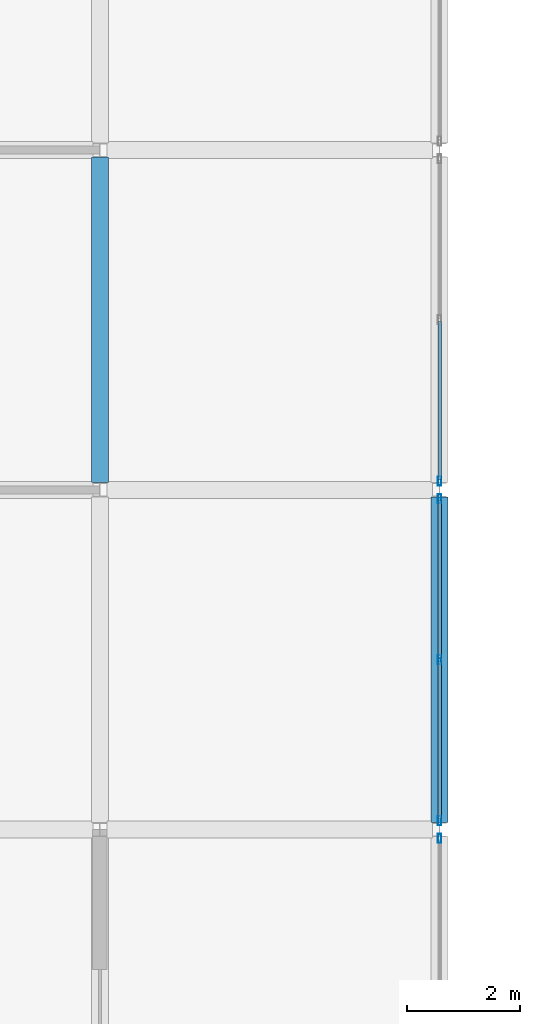
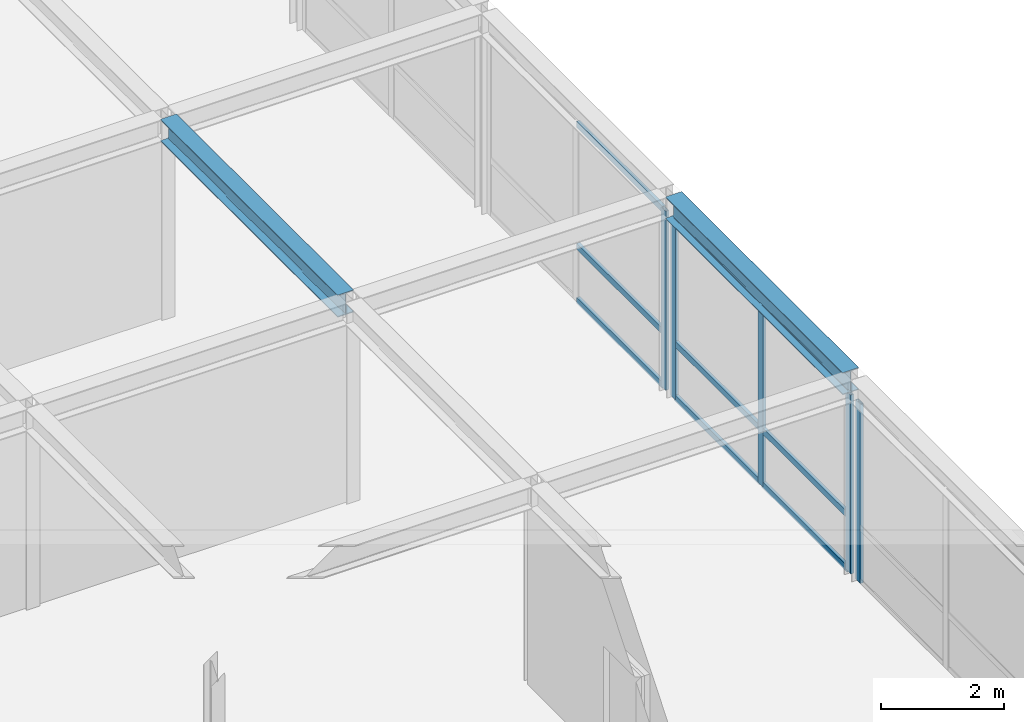
# One storey, part 68 of 111: 14 members, 2 beams, 3 elements without a shape of their own.
"""IFC4 building model written with IfcOpenShell, lengths in metres."""

import ifcopenshell
import ifcopenshell.guid

model = None  # the IFC model being written
_history = None  # IfcOwnerHistory: only IFC2X3 demands one
_inside = {}  # id of a spatial element -> (the spatial element, [elements in it])
_under = {}  # id of a project, library or spatial element -> (it, [spatial elements below it])
_declared = {}  # id of a project -> (the project, [libraries it declares])
_typed = {}  # id of a type object -> (the type object, [elements of that type])
_made_of = {}  # id of a material, layer set ... -> (it, [elements and type objects made of it])


def new_model(schema):
    """Start an empty IFC model of exactly this schema.

    Asked for "IFC4X3", IfcOpenShell would pick the latest addendum, in which some entities
    have other attributes; the version numbers below select the first issue.
    IFC2X3 requires an IfcOwnerHistory on every rooted entity: one is made here for all.
    """
    global model, _history
    if schema == "IFC4X3":
        model = ifcopenshell.file(schema_version=(4, 3, 0, 0))
    else:
        model = ifcopenshell.file(schema=schema)
    _inside.clear()
    _under.clear()
    _declared.clear()
    _typed.clear()
    _made_of.clear()
    _history = None
    if model.schema == "IFC2X3":
        org = make("IfcOrganization", Name="unknown")
        user = make(
            "IfcPersonAndOrganization",
            ThePerson=make("IfcPerson", FamilyName="unknown"),
            TheOrganization=org,
        )
        app = make(
            "IfcApplication",
            ApplicationDeveloper=org,
            Version="unknown",
            ApplicationFullName="unknown",
            ApplicationIdentifier="unknown",
        )
        _history = make(
            "IfcOwnerHistory",
            OwningUser=user,
            OwningApplication=app,
            ChangeAction="ADDED",
            CreationDate=0,
        )
    return model


def make(cls, **values):
    """One entity of the class cls with the attributes given. An attribute that is None is left unset."""
    return model.create_entity(
        cls, **{name: value for name, value in values.items() if value is not None}
    )


def rooted(cls, **values):
    """An entity with a GlobalId (a new one), such as an element, a storey or a relation."""
    return make(cls, GlobalId=ifcopenshell.guid.new(), OwnerHistory=_history, **values)


def si_unit(unit_type, name, prefix=None):
    """IfcSIUnit, for example si_unit("LENGTHUNIT", "METRE", prefix="MILLI")."""
    return make("IfcSIUnit", UnitType=unit_type, Prefix=prefix, Name=name)


def assignment(units):
    """IfcUnitAssignment: the units of a project."""
    return None if units is None else make("IfcUnitAssignment", Units=units)


def point(xyz):
    """IfcCartesianPoint."""
    return None if xyz is None else make("IfcCartesianPoint", Coordinates=xyz)


def direction(xyz):
    """IfcDirection."""
    return None if xyz is None else make("IfcDirection", DirectionRatios=xyz)


def frame(location, z_axis=None, x_axis=None):
    """IfcAxis2Placement3D, a coordinate frame: its origin and axes. An axis left out is left unset."""
    return make(
        "IfcAxis2Placement3D",
        Location=point(location),
        Axis=direction(z_axis),
        RefDirection=direction(x_axis),
    )


def frame_2d(location, x_axis=None):
    """IfcAxis2Placement2D, a coordinate frame in the plane: its origin and x axis."""
    return make(
        "IfcAxis2Placement2D", Location=point(location), RefDirection=direction(x_axis)
    )


def origin():
    """The frame at (0, 0, 0) with its axes left unset."""
    return frame((0.0, 0.0, 0.0))


def origin_2d():
    """The frame at (0, 0) in the plane with its x axis left unset."""
    return frame_2d((0.0, 0.0))


def place(relative_to, where):
    """IfcLocalPlacement: puts the frame where relative to a parent placement (None: the world)."""
    return make(
        "IfcLocalPlacement", PlacementRelTo=relative_to, RelativePlacement=where
    )


def context(
    kind, dimensions, precision=None, world=None, true_north=None, identifier=None
):
    """IfcGeometricRepresentationContext, for example the 3D "Model" context."""
    return make(
        "IfcGeometricRepresentationContext",
        ContextIdentifier=identifier,
        ContextType=kind,
        CoordinateSpaceDimension=dimensions,
        Precision=precision,
        WorldCoordinateSystem=world,
        TrueNorth=true_north,
    )


def subcontext(parent, identifier, kind, view, scale=None):
    """IfcGeometricRepresentationSubContext, for example "Body" below "Model"."""
    return make(
        "IfcGeometricRepresentationSubContext",
        ContextIdentifier=identifier,
        ContextType=kind,
        ParentContext=parent,
        TargetScale=scale,
        TargetView=view,
    )


def project(units=None, contexts=None):
    """IfcProject with its units and contexts."""
    return rooted(
        "IfcProject",
        Name="project",
        RepresentationContexts=contexts,
        UnitsInContext=assignment(units),
    )


def spatial(cls, under=None, at=None, **own):
    """A site, building, storey or space (cls), placed at a placement, below another one or the project."""
    s = rooted(cls, ObjectPlacement=at, **own)
    if under is not None:
        _under.setdefault(under.id(), (under, []))[1].append(s)
    return s


def profile(cls, at=None, kind="AREA", **sizes):
    """A parametric profile (cls). Its sizes go by their IFC names, for example OverallWidth=200.0."""
    return make(cls, ProfileType=kind, Position=at, **sizes)


def hollow_rectangle(**sizes):
    """IfcRectangleHollowProfileDef."""
    return profile("IfcRectangleHollowProfileDef", **sizes)


def i_section(**sizes):
    """IfcIShapeProfileDef."""
    return profile("IfcIShapeProfileDef", **sizes)


def extrude(swept, where, along, depth):
    """IfcExtrudedAreaSolid: the profile swept, set in the frame where, extruded along a direction by depth."""
    return make(
        "IfcExtrudedAreaSolid",
        SweptArea=swept,
        Position=where,
        ExtrudedDirection=direction(along),
        Depth=depth,
    )


def shape(context_of_items, identifier, shape_type, items):
    """IfcShapeRepresentation: the items that make up one representation, for example the "Body"."""
    return make(
        "IfcShapeRepresentation",
        ContextOfItems=context_of_items,
        RepresentationIdentifier=identifier,
        RepresentationType=shape_type,
        Items=items,
    )


def material(Name=None, Category=None):
    """IfcMaterial."""
    return make("IfcMaterial", Name=Name, Category=Category)


def layer(
    of_material, thickness, ventilated=None, Name=None, Category=None, Priority=None
):
    """IfcMaterialLayer: one layer of a wall or slab, of a material (None: an air gap)."""
    return make(
        "IfcMaterialLayer",
        Material=of_material,
        LayerThickness=thickness,
        IsVentilated=ventilated,
        Name=Name,
        Category=Category,
        Priority=Priority,
    )


def layer_set(layers, Name=None):
    """IfcMaterialLayerSet."""
    return make("IfcMaterialLayerSet", MaterialLayers=layers, LayerSetName=Name)


def material_profile(
    of_material, cross_section, Name=None, Category=None, Priority=None
):
    """IfcMaterialProfile: a cross section and its material."""
    return make(
        "IfcMaterialProfile",
        Name=Name,
        Material=of_material,
        Profile=cross_section,
        Priority=Priority,
        Category=Category,
    )


def profile_set(profiles, Name=None, composite=None):
    """IfcMaterialProfileSet."""
    return make(
        "IfcMaterialProfileSet",
        Name=Name,
        MaterialProfiles=profiles,
        CompositeProfile=composite,
    )


def made_of(thing, what):
    """Note that an element or type object is made of a material, layer set ...; save() writes the relation."""
    if what is not None:
        _made_of.setdefault(what.id(), (what, []))[1].append(thing)
    return thing


def type_object(cls, material=None, **own):
    """A type object (cls), such as IfcWallType, which elements share."""
    return made_of(rooted(cls, **own), material)


def element(
    cls,
    number,
    at=None,
    inside=None,
    cuts=None,
    type_object=None,
    material=None,
    context=None,
    identifier="Body",
    shape_type=None,
    held_by="IfcProductDefinitionShape",
    body=None,
    shapes=None,
    **own,
):
    """One element of the class cls, such as IfcWall. Its Tag is "e" and its number.

    at: its placement. inside: the storey or other place that contains it. cuts: it is an
    opening in that element (IfcRelVoidsElement). A single representation is given by context,
    identifier, shape_type and body (its items); several are given by shapes. held_by: the class
    of the entity that holds the representations. save() writes the other relations.
    """
    e = rooted(cls, Tag="e%d" % number, ObjectPlacement=at, **own)
    if body is not None:
        shapes = [shape(context, identifier, shape_type, body)]
    if shapes is not None:
        e.Representation = make(held_by, Representations=shapes)
    if inside is not None:
        _inside.setdefault(inside.id(), (inside, []))[1].append(e)
    if cuts is not None:
        rooted(
            "IfcRelVoidsElement", RelatingBuildingElement=cuts, RelatedOpeningElement=e
        )
    if type_object is not None:
        _typed.setdefault(type_object.id(), (type_object, []))[1].append(e)
    return made_of(e, material)


def aggregate(whole, parts):
    """IfcRelAggregates: a whole, such as a stair, and the parts it consists of."""
    return rooted("IfcRelAggregates", RelatingObject=whole, RelatedObjects=parts)


def save(model, path):
    """Write the relations noted so far, then the file.

    IfcRelAggregates (storeys below a building ...), IfcRelContainedInSpatialStructure (elements
    in a storey), IfcRelDefinesByType, IfcRelAssociatesMaterial and IfcRelDeclares: one each for
    every whole, place, type object, material and project.
    """
    for whole, parts in _under.values():
        aggregate(whole, parts)
    for where, things in _inside.values():
        rooted(
            "IfcRelContainedInSpatialStructure",
            RelatedElements=things,
            RelatingStructure=where,
        )
    for kind, things in _typed.values():
        rooted("IfcRelDefinesByType", RelatedObjects=things, RelatingType=kind)
    for what, things in _made_of.values():
        rooted("IfcRelAssociatesMaterial", RelatedObjects=things, RelatingMaterial=what)
    for by, libraries in _declared.values():
        rooted("IfcRelDeclares", RelatingContext=by, RelatedDefinitions=libraries)
    model.write(path)


model = new_model("IFC4")

# Units and contexts
model_context = context("Model", 3, precision=1e-05, world=origin(), true_north=direction((0.0, 1.0)))
body_context = subcontext(model_context, "Body", "Model", "MODEL_VIEW")
ifc_project = project(units=[si_unit("LENGTHUNIT", "METRE"), si_unit("AREAUNIT", "SQUARE_METRE"), si_unit("VOLUMEUNIT", "CUBIC_METRE"), si_unit("PLANEANGLEUNIT", "RADIAN"), si_unit("MASSUNIT", "GRAM", prefix="KILO")], contexts=[model_context])

# Site, building, storey
site_placement = place(None, origin())
site = spatial("IfcSite", under=ifc_project, at=site_placement, CompositionType="ELEMENT")
building_placement = place(site_placement, origin())
building = spatial("IfcBuilding", under=site, at=building_placement, Name="Zlatovratsky Civic Hall", CompositionType="ELEMENT")
storey_placement = place(building_placement, frame((0.0, 0.0, 16.5)))
storey = spatial("IfcBuildingStorey", under=building, at=storey_placement, Name="L04", CompositionType="ELEMENT", Elevation=16.5)

# Beams
ifc_material_1 = material(Name="Steel S355", Category="steel")
ifc_material_profile_1 = material_profile(ifc_material_1, i_section(OverallWidth=0.300048828125, OverallDepth=0.43994140625, WebThickness=0.010986328125, FlangeThickness=0.01806640625, FilletRadius=0.02197265625, at=origin_2d()), Name="45Sh1")
ifc_profile_set_1 = profile_set([ifc_material_profile_1], Name="Steel S355")
beam_type = type_object("IfcBeamType", Name="Beam_TowerLow_45Sh1", PredefinedType="BEAM", material=ifc_profile_set_1)
for number, where, z_axis, x_axis, name in (
    (1, (114.0, 54.125, 3.780029296875), (0.0, 1.0, 0.0), (-1.0, 0.0, 0.0), "BM-3729"),
    (2, (120.0, 48.125, 3.780029296875), (0.0, 1.0, 0.0), (-1.0, 0.0, 0.0), "BM-3745"),
):
    element("IfcBeam", number, at=place(storey_placement, frame(where, z_axis=z_axis, x_axis=x_axis)), inside=storey, type_object=beam_type, Name=name, PredefinedType="BEAM", context=body_context, shape_type="SweptSolid", body=[
        extrude(i_section(OverallWidth=0.300048828125, OverallDepth=0.43994140625, WebThickness=0.010986328125, FlangeThickness=0.01806640625, FilletRadius=0.02197265625, at=origin_2d()), origin(), (0.0, 0.0, 1.0), 5.75),
    ])

# Curtain wall, member
ifc_material_2 = material(Name="Anodised bronze aluminium", Category="aluminium")
ifc_layer = layer(ifc_material_2, 0.159912109375)
ifc_layer_set = layer_set([ifc_layer], Name="Anodised bronze aluminium")
curtain_wall_type = type_object("IfcCurtainWallType", Name="CurtainWall_Bronze_5750x3550_18", PredefinedType="NOTDEFINED", material=ifc_layer_set)
curtain_wall_1_placement = place(storey_placement, origin())
curtain_wall_1 = element("IfcCurtainWall", 3, at=curtain_wall_1_placement, inside=storey, type_object=curtain_wall_type, Name="CW-119", PredefinedType="NOTDEFINED")
ifc_material_profile_2 = material_profile(ifc_material_2, hollow_rectangle(XDim=0.06005859375, YDim=0.159912109375, WallThickness=0.00390625, at=origin_2d()), Name="ALU 60x160x4")
ifc_profile_set_2 = profile_set([ifc_material_profile_2], Name="Anodised bronze aluminium")
member_type_1 = type_object("IfcMemberType", Name="CW_Mullion_60x160", PredefinedType="MULLION", material=ifc_profile_set_2)
member_1_placement = place(storey_placement, frame((120.0, 47.844970703125, 0.0), z_axis=(0.0, 0.0, 1.0), x_axis=(-1.0, 0.0, 0.0)))
member_1 = element("IfcMember", 4, at=member_1_placement, type_object=member_type_1, Name="CW-18 mullion 3", PredefinedType="MULLION", context=body_context, shape_type="SweptSolid", body=[
    extrude(hollow_rectangle(XDim=0.06005859375, YDim=0.159912109375, WallThickness=0.00390625, at=origin_2d()), origin(), (0.0, 0.0, 1.0), 3.550048828125),
])
aggregate(curtain_wall_1, [member_1])

# Curtain wall, members
curtain_wall_2_placement = place(storey_placement, origin())
curtain_wall_2 = element("IfcCurtainWall", 5, at=curtain_wall_2_placement, inside=storey, type_object=curtain_wall_type, Name="CW-120", PredefinedType="NOTDEFINED")
member_2_placement = place(storey_placement, frame((120.0, 48.155029296875, 0.0), z_axis=(0.0, 0.0, 1.0), x_axis=(-1.0, 0.0, 0.0)))
member_2 = element("IfcMember", 6, at=member_2_placement, type_object=member_type_1, Name="CW-18 mullion 1", PredefinedType="MULLION", context=body_context, shape_type="SweptSolid", body=[
    extrude(hollow_rectangle(XDim=0.06005859375, YDim=0.159912109375, WallThickness=0.00390625, at=origin_2d()), origin(), (0.0, 0.0, 1.0), 3.550048828125),
])
member_3_placement = place(storey_placement, frame((120.0, 51.0, 0.0), z_axis=(0.0, 0.0, 1.0), x_axis=(-1.0, 0.0, 0.0)))
member_3 = element("IfcMember", 7, at=member_3_placement, type_object=member_type_1, Name="CW-18 mullion 2", PredefinedType="MULLION", context=body_context, shape_type="SweptSolid", body=[
    extrude(hollow_rectangle(XDim=0.06005859375, YDim=0.159912109375, WallThickness=0.00390625, at=origin_2d()), origin(), (0.0, 0.0, 1.0), 3.550048828125),
])
member_4_placement = place(storey_placement, frame((120.0, 53.844970703125, 0.0), z_axis=(0.0, 0.0, 1.0), x_axis=(-1.0, 0.0, 0.0)))
member_4 = element("IfcMember", 8, at=member_4_placement, type_object=member_type_1, Name="CW-18 mullion 3", PredefinedType="MULLION", context=body_context, shape_type="SweptSolid", body=[
    extrude(hollow_rectangle(XDim=0.06005859375, YDim=0.159912109375, WallThickness=0.00390625, at=origin_2d()), origin(), (0.0, 0.0, 1.0), 3.550048828125),
])

# Curtain wall, member
curtain_wall_3_placement = place(storey_placement, origin())
curtain_wall_3 = element("IfcCurtainWall", 9, at=curtain_wall_3_placement, inside=storey, type_object=curtain_wall_type, Name="CW-121", PredefinedType="NOTDEFINED")
member_5_placement = place(storey_placement, frame((120.0, 54.155029296875, 0.0), z_axis=(0.0, 0.0, 1.0), x_axis=(-1.0, 0.0, 0.0)))
member_5 = element("IfcMember", 10, at=member_5_placement, type_object=member_type_1, Name="CW-18 mullion 1", PredefinedType="MULLION", context=body_context, shape_type="SweptSolid", body=[
    extrude(hollow_rectangle(XDim=0.06005859375, YDim=0.159912109375, WallThickness=0.00390625, at=origin_2d()), origin(), (0.0, 0.0, 1.0), 3.550048828125),
])

# Member
ifc_material_profile_3 = material_profile(ifc_material_2, hollow_rectangle(XDim=0.06005859375, YDim=0.1201171875, WallThickness=0.00390625, at=origin_2d()), Name="ALU 60x120x4")
ifc_profile_set_3 = profile_set([ifc_material_profile_3], Name="Anodised bronze aluminium")
member_type_2 = type_object("IfcMemberType", Name="CW_Transom_60x120", PredefinedType="USERDEFINED", material=ifc_profile_set_3)
member_6_placement = place(storey_placement, frame((120.0, 48.18505859375, 0.030029296875), z_axis=(0.0, 1.0, 0.0), x_axis=(-1.0, 0.0, 0.0)))
member_6 = element("IfcMember", 11, at=member_6_placement, type_object=member_type_2, Name="CW-18 transom 1.1", ObjectType="TRANSOM", PredefinedType="USERDEFINED", context=body_context, shape_type="SweptSolid", body=[
    extrude(hollow_rectangle(XDim=0.06005859375, YDim=0.1201171875, WallThickness=0.00390625, at=origin_2d()), origin(), (0.0, 0.0, 1.0), 2.784912109375),
])

member_7_placement = place(storey_placement, frame((120.0, 48.18505859375, 1.10009765625), z_axis=(0.0, 1.0, 0.0), x_axis=(-1.0, 0.0, 0.0)))
member_7 = element("IfcMember", 12, at=member_7_placement, type_object=member_type_2, Name="CW-18 transom 1.2", ObjectType="TRANSOM", PredefinedType="USERDEFINED", context=body_context, shape_type="SweptSolid", body=[
    extrude(hollow_rectangle(XDim=0.06005859375, YDim=0.1201171875, WallThickness=0.00390625, at=origin_2d()), origin(), (0.0, 0.0, 1.0), 2.784912109375),
])

member_8_placement = place(storey_placement, frame((120.0, 48.18505859375, 3.52001953125), z_axis=(0.0, 1.0, 0.0), x_axis=(-1.0, 0.0, 0.0)))
member_8 = element("IfcMember", 13, at=member_8_placement, type_object=member_type_2, Name="CW-18 transom 1.3", ObjectType="TRANSOM", PredefinedType="USERDEFINED", context=body_context, shape_type="SweptSolid", body=[
    extrude(hollow_rectangle(XDim=0.06005859375, YDim=0.1201171875, WallThickness=0.00390625, at=origin_2d()), origin(), (0.0, 0.0, 1.0), 2.784912109375),
])

member_9_placement = place(storey_placement, frame((120.0, 51.030029296875, 0.030029296875), z_axis=(0.0, 1.0, 0.0), x_axis=(-1.0, 0.0, 0.0)))
member_9 = element("IfcMember", 14, at=member_9_placement, type_object=member_type_2, Name="CW-18 transom 2.1", ObjectType="TRANSOM", PredefinedType="USERDEFINED", context=body_context, shape_type="SweptSolid", body=[
    extrude(hollow_rectangle(XDim=0.06005859375, YDim=0.1201171875, WallThickness=0.00390625, at=origin_2d()), origin(), (0.0, 0.0, 1.0), 2.784912109375),
])

member_10_placement = place(storey_placement, frame((120.0, 51.030029296875, 1.10009765625), z_axis=(0.0, 1.0, 0.0), x_axis=(-1.0, 0.0, 0.0)))
member_10 = element("IfcMember", 15, at=member_10_placement, type_object=member_type_2, Name="CW-18 transom 2.2", ObjectType="TRANSOM", PredefinedType="USERDEFINED", context=body_context, shape_type="SweptSolid", body=[
    extrude(hollow_rectangle(XDim=0.06005859375, YDim=0.1201171875, WallThickness=0.00390625, at=origin_2d()), origin(), (0.0, 0.0, 1.0), 2.784912109375),
])

member_11_placement = place(storey_placement, frame((120.0, 51.030029296875, 3.52001953125), z_axis=(0.0, 1.0, 0.0), x_axis=(-1.0, 0.0, 0.0)))
member_11 = element("IfcMember", 16, at=member_11_placement, type_object=member_type_2, Name="CW-18 transom 2.3", ObjectType="TRANSOM", PredefinedType="USERDEFINED", context=body_context, shape_type="SweptSolid", body=[
    extrude(hollow_rectangle(XDim=0.06005859375, YDim=0.1201171875, WallThickness=0.00390625, at=origin_2d()), origin(), (0.0, 0.0, 1.0), 2.784912109375),
])

aggregate(curtain_wall_2, [member_2, member_3, member_4, member_6, member_7, member_8, member_9, member_10, member_11])

member_12_placement = place(storey_placement, frame((120.0, 54.18505859375, 0.030029296875), z_axis=(0.0, 1.0, 0.0), x_axis=(-1.0, 0.0, 0.0)))
member_12 = element("IfcMember", 17, at=member_12_placement, type_object=member_type_2, Name="CW-18 transom 1.1", ObjectType="TRANSOM", PredefinedType="USERDEFINED", context=body_context, shape_type="SweptSolid", body=[
    extrude(hollow_rectangle(XDim=0.06005859375, YDim=0.1201171875, WallThickness=0.00390625, at=origin_2d()), origin(), (0.0, 0.0, 1.0), 2.784912109375),
])

member_13_placement = place(storey_placement, frame((120.0, 54.18505859375, 1.10009765625), z_axis=(0.0, 1.0, 0.0), x_axis=(-1.0, 0.0, 0.0)))
member_13 = element("IfcMember", 18, at=member_13_placement, type_object=member_type_2, Name="CW-18 transom 1.2", ObjectType="TRANSOM", PredefinedType="USERDEFINED", context=body_context, shape_type="SweptSolid", body=[
    extrude(hollow_rectangle(XDim=0.06005859375, YDim=0.1201171875, WallThickness=0.00390625, at=origin_2d()), origin(), (0.0, 0.0, 1.0), 2.784912109375),
])

member_14_placement = place(storey_placement, frame((120.0, 54.18505859375, 3.52001953125), z_axis=(0.0, 1.0, 0.0), x_axis=(-1.0, 0.0, 0.0)))
member_14 = element("IfcMember", 19, at=member_14_placement, type_object=member_type_2, Name="CW-18 transom 1.3", ObjectType="TRANSOM", PredefinedType="USERDEFINED", context=body_context, shape_type="SweptSolid", body=[
    extrude(hollow_rectangle(XDim=0.06005859375, YDim=0.1201171875, WallThickness=0.00390625, at=origin_2d()), origin(), (0.0, 0.0, 1.0), 2.784912109375),
])

aggregate(curtain_wall_3, [member_5, member_12, member_13, member_14])

save(model, "model.ifc")
